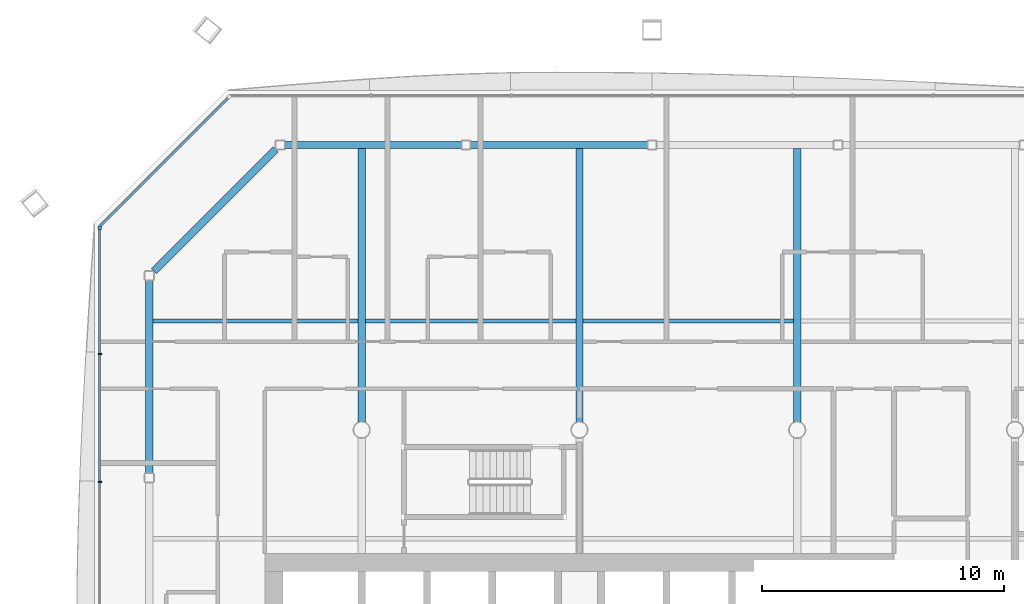
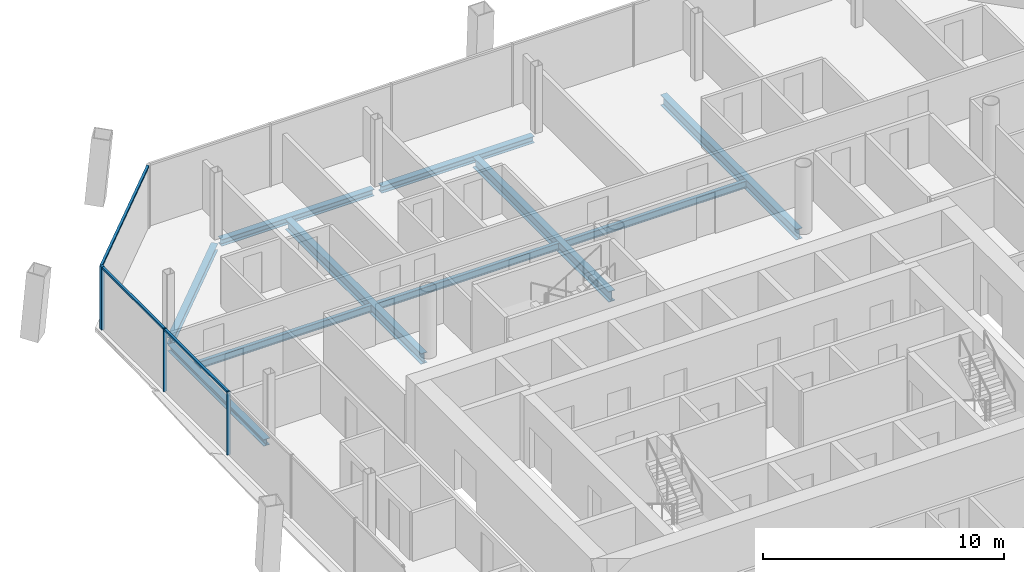
# One storey, part 8 of 21: 10 beams, 6 members, 2 elements without a shape of their own.
"""IFC4 building model written with IfcOpenShell, lengths in metres."""

from ifc_helpers import new_model, si_unit, direction, frame, origin, origin_2d, place, context, subcontext, project, spatial, rectangle, i_section, extrude, material, material_profile, profile_set, type_object, element, aggregate, save


model = new_model("IFC4")

# Units and contexts
model_context = context("Model", 3, precision=1e-05, world=origin(), true_north=direction((0.0, 1.0)))
body_context = subcontext(model_context, "Body", "Model", "MODEL_VIEW")
ifc_project = project(units=[si_unit("LENGTHUNIT", "METRE"), si_unit("AREAUNIT", "SQUARE_METRE"), si_unit("VOLUMEUNIT", "CUBIC_METRE"), si_unit("PLANEANGLEUNIT", "RADIAN"), si_unit("MASSUNIT", "GRAM", prefix="KILO")], contexts=[model_context])

# Site, building, storey
site_placement = place(None, origin())
site = spatial("IfcSite", under=ifc_project, at=site_placement, CompositionType="ELEMENT")
building_placement = place(site_placement, origin())
building = spatial("IfcBuilding", under=site, at=building_placement, Name="Tskaro Facet Tower", CompositionType="ELEMENT")
storey_placement = place(building_placement, frame((0.0, 0.0, 138.5)))
storey = spatial("IfcBuildingStorey", under=building, at=storey_placement, Name="L33", CompositionType="ELEMENT", Elevation=138.5)

# Curtain wall, members
ifc_material_1 = material(Name="Bronze anodised aluminium 6063-T6", Category="aluminium")
curtain_wall_type = type_object("IfcCurtainWallType", Name="Bronze hotel curtain wall (FW2)", PredefinedType="NOTDEFINED", material=ifc_material_1)
curtain_wall_1_placement = place(storey_placement, origin())
curtain_wall_1 = element("IfcCurtainWall", 1, at=curtain_wall_1_placement, inside=storey, type_object=curtain_wall_type, Name="FW2 west facet L33", PredefinedType="NOTDEFINED")
ifc_material_profile_1 = material_profile(ifc_material_1, rectangle(XDim=0.14990234375, YDim=0.14990234375, at=origin_2d()), Name="Corner post 150x150")
ifc_profile_set_1 = profile_set([ifc_material_profile_1], Name="Bronze anodised aluminium 6063-T6")
member_type_1 = type_object("IfcMemberType", Name="FW2 bronze corner post 150x150", PredefinedType="MULLION", material=ifc_profile_set_1)
member_1_placement = place(storey_placement, frame((-19.820068359375, 17.346923828125, 0.0), z_axis=(0.0, 0.0, 1.0), x_axis=(0.0, -1.0, 0.0)))
member_1 = element("IfcMember", 2, at=member_1_placement, type_object=member_type_1, Name="FW2 west corner post", PredefinedType="MULLION", context=body_context, shape_type="SweptSolid", body=[
    extrude(rectangle(XDim=0.14990234375, YDim=0.14990234375, at=origin_2d()), origin(), (0.0, 0.0, 1.0), 3.199951171875),
])
ifc_material_profile_2 = material_profile(ifc_material_1, rectangle(XDim=0.06005859375, YDim=0.14990234375, at=origin_2d()), Name="Mullion 60x150")
ifc_profile_set_2 = profile_set([ifc_material_profile_2], Name="Bronze anodised aluminium 6063-T6")
member_type_2 = type_object("IfcMemberType", Name="FW2 bronze mullion 60x150", PredefinedType="MULLION", material=ifc_profile_set_2)
member_2_placement = place(storey_placement, frame((-19.820068359375, 12.136962890625, 0.0), z_axis=(0.0, 0.0, 1.0), x_axis=(0.0, -1.0, 0.0)))
member_2 = element("IfcMember", 3, at=member_2_placement, type_object=member_type_2, Name="FW2 west mullion 1", PredefinedType="MULLION", context=body_context, shape_type="SweptSolid", body=[
    extrude(rectangle(XDim=0.06005859375, YDim=0.14990234375, at=origin_2d()), origin(), (0.0, 0.0, 1.0), 3.199951171875),
])
member_3_placement = place(storey_placement, frame((-19.820068359375, 6.851806640625, 0.0), z_axis=(0.0, 0.0, 1.0), x_axis=(0.0, -1.0, 0.0)))
member_3 = element("IfcMember", 4, at=member_3_placement, type_object=member_type_2, Name="FW2 west mullion 2", PredefinedType="MULLION", context=body_context, shape_type="SweptSolid", body=[
    extrude(rectangle(XDim=0.06005859375, YDim=0.14990234375, at=origin_2d()), origin(), (0.0, 0.0, 1.0), 3.199951171875),
])

# Curtain wall, member
curtain_wall_2_placement = place(storey_placement, origin())
curtain_wall_2 = element("IfcCurtainWall", 5, at=curtain_wall_2_placement, inside=storey, type_object=curtain_wall_type, Name="FW2 north-west facet L33", PredefinedType="NOTDEFINED")
ifc_material_profile_3 = material_profile(ifc_material_1, rectangle(XDim=0.110107421875, YDim=0.10009765625, at=origin_2d()), Name="Transom 110x100")
ifc_profile_set_3 = profile_set([ifc_material_profile_3], Name="Bronze anodised aluminium 6063-T6")
member_type_3 = type_object("IfcMemberType", Name="FW2 bronze transom 110x100", PredefinedType="USERDEFINED", material=ifc_profile_set_3)
member_4_placement = place(storey_placement, frame((-14.528076171875, 22.7138671875, 3.14990234375), z_axis=(-0.707123092197, -0.7070904698, 0.0), x_axis=(0.7070904698, -0.707123092197, 0.0)))
member_4 = element("IfcMember", 6, at=member_4_placement, type_object=member_type_3, Name="FW2 north-west transom 1.1", ObjectType="TRANSOM", PredefinedType="USERDEFINED", context=body_context, shape_type="SweptSolid", body=[
    extrude(rectangle(XDim=0.110107421875, YDim=0.10009765625, at=origin_2d()), origin(), (0.0, 0.0, 1.0), 7.48388671875),
])
aggregate(curtain_wall_2, [member_4])

# Member
member_5_placement = place(storey_placement, frame((-19.820068359375, 17.27197265625, 3.14990234375), z_axis=(0.0, -1.0, 0.0), x_axis=(1.0, 0.0, 0.0)))
member_5 = element("IfcMember", 7, at=member_5_placement, type_object=member_type_3, Name="FW2 west transom 1.1", ObjectType="TRANSOM", PredefinedType="USERDEFINED", context=body_context, shape_type="SweptSolid", body=[
    extrude(rectangle(XDim=0.110107421875, YDim=0.10009765625, at=origin_2d()), origin(), (0.0, 0.0, 1.0), 5.105224609375),
])

member_6_placement = place(storey_placement, frame((-19.820068359375, 12.10693359375, 3.14990234375), z_axis=(0.0, -1.0, 0.0), x_axis=(1.0, 0.0, 0.0)))
member_6 = element("IfcMember", 8, at=member_6_placement, type_object=member_type_3, Name="FW2 west transom 2.1", ObjectType="TRANSOM", PredefinedType="USERDEFINED", context=body_context, shape_type="SweptSolid", body=[
    extrude(rectangle(XDim=0.110107421875, YDim=0.10009765625, at=origin_2d()), origin(), (0.0, 0.0, 1.0), 5.22509765625),
])

aggregate(curtain_wall_1, [member_1, member_2, member_3, member_5, member_6])

# Beams
ifc_material_2 = material(Name="Steel S355J2", Category="steel")
ifc_material_profile_4 = material_profile(ifc_material_2, i_section(OverallWidth=0.300048828125, OverallDepth=0.340087890625, WebThickness=0.011962890625, FlangeThickness=0.021484375, FilletRadius=0.027099609375, at=origin_2d()), Name="HE 340 B")
ifc_profile_set_4 = profile_set([ifc_material_profile_4], Name="Steel S355J2")
beam_type_1 = type_object("IfcBeamType", Name="HE 340 B ring beam", PredefinedType="BEAM", material=ifc_profile_set_4)
for number, where, z_axis, x_axis, name in (
    (9, (2.820068359375, 20.77392578125, -0.31005859375), (-1.0, 0.0, 0.0), (0.0, -1.0, 0.0), "HE 340 B EB13-3"),
    (10, (-4.864013671875, 20.77392578125, -0.31005859375), (-1.0, 0.0, 0.0), (0.0, -1.0, 0.0), "HE 340 B EB14-3"),
):
    element("IfcBeam", number, at=place(storey_placement, frame(where, z_axis=z_axis, x_axis=x_axis)), inside=storey, type_object=beam_type_1, Name=name, PredefinedType="BEAM", context=body_context, shape_type="SweptSolid", body=[
        extrude(i_section(OverallWidth=0.300048828125, OverallDepth=0.340087890625, WebThickness=0.011962890625, FlangeThickness=0.021484375, FilletRadius=0.027099609375, at=origin_2d()), origin(), (0.0, 0.0, 1.0), 7.323974609375),
    ])
beam_1_placement = place(storey_placement, frame((-12.553955078125, 20.588134765625, -0.31005859375), z_axis=(-0.707106781187, -0.707106781187, 0.0), x_axis=(0.707106781187, -0.707106781187, 0.0)))
element("IfcBeam", 11, at=beam_1_placement, inside=storey, type_object=beam_type_1, Name="HE 340 B EB15-3", PredefinedType="BEAM", context=body_context, shape_type="SweptSolid", body=[
    extrude(i_section(OverallWidth=0.300048828125, OverallDepth=0.340087890625, WebThickness=0.011962890625, FlangeThickness=0.021484375, FilletRadius=0.027099609375, at=origin_2d()), origin(), (0.0, 0.0, 1.0), 7.119384765625),
])
beam_2_placement = place(storey_placement, frame((-17.77392578125, 15.18798828125, -0.31005859375), z_axis=(0.0, -1.0, 0.0), x_axis=(1.0, 0.0, 0.0)))
element("IfcBeam", 12, at=beam_2_placement, inside=storey, type_object=beam_type_1, Name="HE 340 B EB16-3", PredefinedType="BEAM", context=body_context, shape_type="SweptSolid", body=[
    extrude(i_section(OverallWidth=0.300048828125, OverallDepth=0.340087890625, WebThickness=0.011962890625, FlangeThickness=0.021484375, FilletRadius=0.027099609375, at=origin_2d()), origin(), (0.0, 0.0, 1.0), 7.98193359375),
])
ifc_material_profile_5 = material_profile(ifc_material_2, i_section(OverallWidth=0.300048828125, OverallDepth=0.5400390625, WebThickness=0.012451171875, FlangeThickness=0.02392578125, FilletRadius=0.027099609375, at=origin_2d()), Name="HE 550 A")
ifc_profile_set_5 = profile_set([ifc_material_profile_5], Name="Steel S355J2")
beam_type_2 = type_object("IfcBeamType", Name="HE 550 A long girder", PredefinedType="BEAM", material=ifc_profile_set_5)
for number, where, z_axis, x_axis, name in (
    (13, (-9.0, 9.325439453125, -0.409912109375), (0.0, 1.0, 0.0), (-1.0, 0.0, 0.0), "HE 550 A LGB3-3-3"),
    (14, (0.0, 9.325439453125, -0.409912109375), (0.0, 1.0, 0.0), (-1.0, 0.0, 0.0), "HE 550 A LGB4-3-3"),
    (15, (9.0, 9.325439453125, -0.409912109375), (0.0, 1.0, 0.0), (-1.0, 0.0, 0.0), "HE 550 A LGB5-3-3"),
):
    element("IfcBeam", number, at=place(storey_placement, frame(where, z_axis=z_axis, x_axis=x_axis)), inside=storey, type_object=beam_type_2, Name=name, PredefinedType="BEAM", context=body_context, shape_type="SweptSolid", body=[
        extrude(i_section(OverallWidth=0.300048828125, OverallDepth=0.5400390625, WebThickness=0.012451171875, FlangeThickness=0.02392578125, FilletRadius=0.027099609375, at=origin_2d()), origin(), (0.0, 0.0, 1.0), 11.298583984375),
    ])
ifc_material_profile_6 = material_profile(ifc_material_2, i_section(OverallWidth=0.169921875, OverallDepth=0.360107421875, WebThickness=0.008056640625, FlangeThickness=0.0126953125, FilletRadius=0.01806640625, at=origin_2d()), Name="IPE 360")
ifc_profile_set_6 = profile_set([ifc_material_profile_6], Name="Steel S355J2")
beam_type_3 = type_object("IfcBeamType", Name="IPE 360 secondary beam", PredefinedType="BEAM", material=ifc_profile_set_6)
beam_3_placement = place(storey_placement, frame((-17.6240234375, 13.5, -0.320068359375), z_axis=(1.0, 0.0, 0.0), x_axis=(0.0, 1.0, 0.0)))
element("IfcBeam", 16, at=beam_3_placement, inside=storey, type_object=beam_type_3, Name="IPE 360 SB5a-1-3", PredefinedType="BEAM", context=body_context, shape_type="SweptSolid", body=[
    extrude(i_section(OverallWidth=0.169921875, OverallDepth=0.360107421875, WebThickness=0.008056640625, FlangeThickness=0.0126953125, FilletRadius=0.01806640625, at=origin_2d()), origin(), (0.0, 0.0, 1.0), 8.47412109375),
])
for number, where, z_axis, x_axis, name in (
    (17, (-8.85009765625, 13.5, -0.320068359375), (1.0, 0.0, 0.0), (0.0, 1.0, 0.0), "IPE 360 SB5a-2-3"),
    (18, (0.14990234375, 13.5, -0.320068359375), (1.0, 0.0, 0.0), (0.0, 1.0, 0.0), "IPE 360 SB5a-3-3"),
):
    element("IfcBeam", number, at=place(storey_placement, frame(where, z_axis=z_axis, x_axis=x_axis)), inside=storey, type_object=beam_type_3, Name=name, PredefinedType="BEAM", context=body_context, shape_type="SweptSolid", body=[
        extrude(i_section(OverallWidth=0.169921875, OverallDepth=0.360107421875, WebThickness=0.008056640625, FlangeThickness=0.0126953125, FilletRadius=0.01806640625, at=origin_2d()), origin(), (0.0, 0.0, 1.0), 8.7001953125),
    ])

save(model, "model.ifc")
